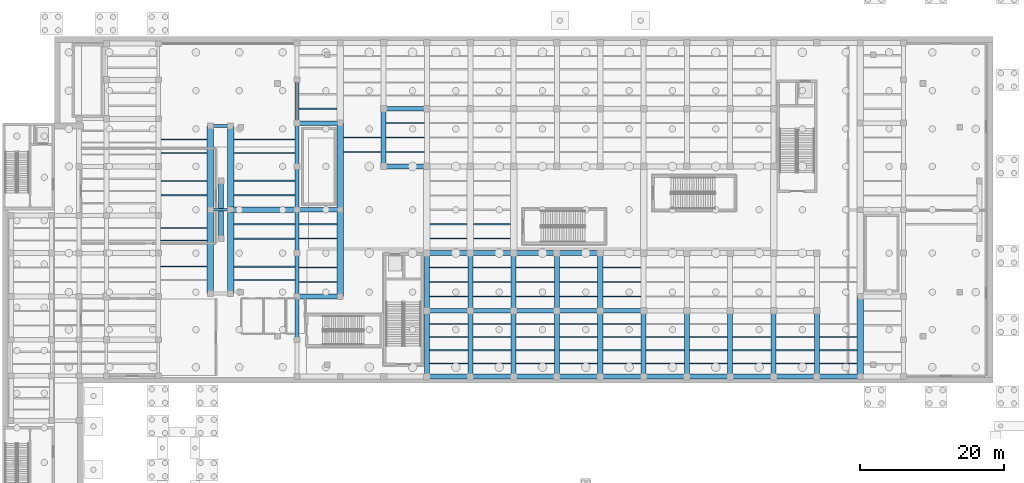
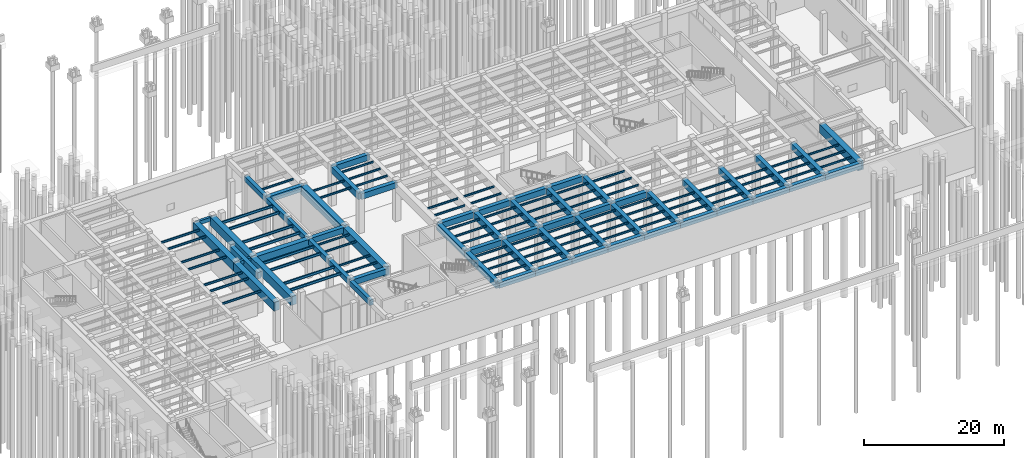
# One storey, part 10 of 30: 136 beams.
"""IFC4 building model written with IfcOpenShell, lengths in metres."""

from ifc_helpers import new_model, si_unit, direction, frame, origin, origin_2d, place, context, subcontext, project, spatial, rectangle, i_section, extrude, material, material_profile, profile_set, type_object, element, save


model = new_model("IFC4")

# Units and contexts
model_context = context("Model", 3, precision=1e-05, world=origin(), true_north=direction((0.0, 1.0)))
body_context = subcontext(model_context, "Body", "Model", "MODEL_VIEW")
ifc_project = project(units=[si_unit("LENGTHUNIT", "METRE"), si_unit("AREAUNIT", "SQUARE_METRE"), si_unit("VOLUMEUNIT", "CUBIC_METRE"), si_unit("PLANEANGLEUNIT", "RADIAN"), si_unit("MASSUNIT", "GRAM", prefix="KILO")], contexts=[model_context])

# Site, building, storey
site_placement = place(None, origin())
site = spatial("IfcSite", under=ifc_project, at=site_placement, CompositionType="ELEMENT")
building_placement = place(site_placement, origin())
building = spatial("IfcBuilding", under=site, at=building_placement, Name="Kolvaren Corner Interchange", CompositionType="ELEMENT")
storey_placement = place(building_placement, frame((0.0, 0.0, -7.199951171875)))
storey = spatial("IfcBuildingStorey", under=building, at=storey_placement, Name="B1", CompositionType="ELEMENT", Elevation=-7.199951171875)

# Beams
ifc_material_1 = material(Name="Concrete C40/50", Category="concrete")
ifc_material_profile_1 = material_profile(ifc_material_1, rectangle(XDim=0.39990234375, YDim=0.64990234375, at=origin_2d()), Name="RC 400x650")
ifc_profile_set_1 = profile_set([ifc_material_profile_1], Name="Concrete C40/50")
beam_type_1 = type_object("IfcBeamType", Name="BM-RC400x650", PredefinedType="BEAM", material=ifc_profile_set_1)
for number, where, z_axis, x_axis, name in (
    (1, (36.0, 48.0, 6.474853515625), (1.0, 0.0, 0.0), (0.0, 1.0, 0.0), "Storey B1 Grid X Primary Girder 0058"),
    (2, (36.0, 59.60009765625, 6.474853515625), (1.0, 0.0, 0.0), (0.0, 1.0, 0.0), "Storey B1 Grid X Primary Girder 0073"),
):
    element("IfcBeam", number, at=place(storey_placement, frame(where, z_axis=z_axis, x_axis=x_axis)), inside=storey, type_object=beam_type_1, Name=name, PredefinedType="BEAM", context=body_context, shape_type="SweptSolid", body=[
        extrude(rectangle(XDim=0.39990234375, YDim=0.64990234375, at=origin_2d()), origin(), (0.0, 0.0, 1.0), 2.800048828125),
    ])
ifc_material_2 = material(Name="Concrete C40/50", Category="concrete")
ifc_material_profile_2 = material_profile(ifc_material_2, rectangle(XDim=0.60009765625, YDim=0.89990234375, at=origin_2d()), Name="RC 600x900")
ifc_profile_set_2 = profile_set([ifc_material_profile_2], Name="Concrete C40/50")
beam_type_2 = type_object("IfcBeamType", Name="BM-RC600x900", PredefinedType="BEAM", material=ifc_profile_set_2)
for number, where, z_axis, x_axis, name in (
    (3, (48.0, 30.0, 6.349853515625), (0.0, 1.0, 0.0), (-1.0, 0.0, 0.0), "Storey B1 Grid Y Primary Girder 0141"),
    (4, (48.0, 36.0, 6.349853515625), (0.0, 1.0, 0.0), (-1.0, 0.0, 0.0), "Storey B1 Grid Y Primary Girder 0142"),
    (5, (48.0, 42.0, 6.349853515625), (0.0, 1.0, 0.0), (-1.0, 0.0, 0.0), "Storey B1 Grid Y Primary Girder 0143"),
    (6, (48.0, 48.0, 6.349853515625), (0.0, 1.0, 0.0), (-1.0, 0.0, 0.0), "Storey B1 Grid Y Primary Girder 0144"),
    (7, (48.0, 54.0, 6.349853515625), (0.0, 1.0, 0.0), (-1.0, 0.0, 0.0), "Storey B1 Grid Y Primary Girder 0145"),
    (8, (48.0, 60.0, 6.349853515625), (0.0, 1.0, 0.0), (-1.0, 0.0, 0.0), "Storey B1 Grid Y Primary Girder 0146"),
):
    element("IfcBeam", number, at=place(storey_placement, frame(where, z_axis=z_axis, x_axis=x_axis)), inside=storey, type_object=beam_type_2, Name=name, PredefinedType="BEAM", context=body_context, shape_type="SweptSolid", body=[
        extrude(rectangle(XDim=0.60009765625, YDim=0.89990234375, at=origin_2d()), origin(), (0.0, 0.0, 1.0), 6.0),
    ])
ifc_material_3 = material(Name="Concrete C40/50", Category="concrete")
ifc_material_profile_3 = material_profile(ifc_material_3, rectangle(XDim=0.64990234375, YDim=1.0, at=origin_2d()), Name="RC 650x1000")
ifc_profile_set_3 = profile_set([ifc_material_profile_3], Name="Concrete C40/50")
beam_type_3 = type_object("IfcBeamType", Name="BM-RC650x1000", PredefinedType="BEAM", material=ifc_profile_set_3)
for number, where, z_axis, x_axis, name in (
    (9, (66.0, 24.89990234375, 6.300048828125), (1.0, 0.0, 0.0), (0.0, 1.0, 0.0), "Storey B1 Grid X Primary Girder 0006"),
    (10, (72.0, 24.89990234375, 6.300048828125), (1.0, 0.0, 0.0), (0.0, 1.0, 0.0), "Storey B1 Grid X Primary Girder 0007"),
    (11, (78.0, 24.89990234375, 6.300048828125), (1.0, 0.0, 0.0), (0.0, 1.0, 0.0), "Storey B1 Grid X Primary Girder 0008"),
    (12, (84.0, 24.89990234375, 6.300048828125), (1.0, 0.0, 0.0), (0.0, 1.0, 0.0), "Storey B1 Grid X Primary Girder 0009"),
    (13, (90.0, 24.89990234375, 6.300048828125), (1.0, 0.0, 0.0), (0.0, 1.0, 0.0), "Storey B1 Grid X Primary Girder 0010"),
    (14, (96.0, 24.89990234375, 6.300048828125), (1.0, 0.0, 0.0), (0.0, 1.0, 0.0), "Storey B1 Grid X Primary Girder 0011"),
    (15, (102.0, 24.89990234375, 6.300048828125), (1.0, 0.0, 0.0), (0.0, 1.0, 0.0), "Storey B1 Grid X Primary Girder 0012"),
    (16, (108.0, 24.89990234375, 6.300048828125), (1.0, 0.0, 0.0), (0.0, 1.0, 0.0), "Storey B1 Grid X Primary Girder 0013"),
    (17, (114.0, 24.89990234375, 6.300048828125), (1.0, 0.0, 0.0), (0.0, 1.0, 0.0), "Storey B1 Grid X Primary Girder 0014"),
    (18, (120.0, 24.89990234375, 6.300048828125), (1.0, 0.0, 0.0), (0.0, 1.0, 0.0), "Storey B1 Grid X Primary Girder 0015"),
    (19, (66.0, 34.0, 6.300048828125), (1.0, 0.0, 0.0), (0.0, 1.0, 0.0), "Storey B1 Grid X Primary Girder 0025"),
    (20, (72.0, 34.0, 6.300048828125), (1.0, 0.0, 0.0), (0.0, 1.0, 0.0), "Storey B1 Grid X Primary Girder 0026"),
    (21, (78.0, 34.0, 6.300048828125), (1.0, 0.0, 0.0), (0.0, 1.0, 0.0), "Storey B1 Grid X Primary Girder 0027"),
    (22, (84.0, 34.0, 6.300048828125), (1.0, 0.0, 0.0), (0.0, 1.0, 0.0), "Storey B1 Grid X Primary Girder 0028"),
    (23, (90.0, 34.0, 6.300048828125), (1.0, 0.0, 0.0), (0.0, 1.0, 0.0), "Storey B1 Grid X Primary Girder 0029"),
    (24, (48.0, 36.0, 6.300048828125), (1.0, 0.0, 0.0), (0.0, 1.0, 0.0), "Storey B1 Grid X Primary Girder 0038"),
    (25, (66.0, 42.0, 6.300048828125), (1.0, 0.0, 0.0), (0.0, 1.0, 0.0), "Storey B1 Grid X Primary Girder 0045"),
    (26, (72.0, 42.0, 6.300048828125), (1.0, 0.0, 0.0), (0.0, 1.0, 0.0), "Storey B1 Grid X Primary Girder 0046"),
    (27, (78.0, 42.0, 6.300048828125), (1.0, 0.0, 0.0), (0.0, 1.0, 0.0), "Storey B1 Grid X Primary Girder 0047"),
    (28, (84.0, 42.0, 6.300048828125), (1.0, 0.0, 0.0), (0.0, 1.0, 0.0), "Storey B1 Grid X Primary Girder 0048"),
    (29, (48.0, 48.0, 6.300048828125), (1.0, 0.0, 0.0), (0.0, 1.0, 0.0), "Storey B1 Grid X Primary Girder 0060"),
    (30, (60.0, 54.0, 6.300048828125), (1.0, 0.0, 0.0), (0.0, 1.0, 0.0), "Storey B1 Grid X Primary Girder 0064"),
    (31, (48.0, 60.0, 6.300048828125), (1.0, 0.0, 0.0), (0.0, 1.0, 0.0), "Storey B1 Grid X Primary Girder 0074"),
    (32, (60.0, 62.0, 6.300048828125), (1.0, 0.0, 0.0), (0.0, 1.0, 0.0), "Storey B1 Grid X Primary Girder 0078"),
):
    element("IfcBeam", number, at=place(storey_placement, frame(where, z_axis=z_axis, x_axis=x_axis)), inside=storey, type_object=beam_type_3, Name=name, PredefinedType="BEAM", context=body_context, shape_type="SweptSolid", body=[
        extrude(rectangle(XDim=0.64990234375, YDim=1.0, at=origin_2d()), origin(), (0.0, 0.0, 1.0), 6.0),
    ])
ifc_material_4 = material(Name="Concrete C40/50", Category="concrete")
ifc_material_profile_4 = material_profile(ifc_material_4, rectangle(XDim=0.699951171875, YDim=1.10009765625, at=origin_2d()), Name="RC 700x1100")
ifc_profile_set_4 = profile_set([ifc_material_profile_4], Name="Concrete C40/50")
beam_type_4 = type_object("IfcBeamType", Name="BM-RC700x1100", PredefinedType="BEAM", material=ifc_profile_set_4)
beam_1_placement = place(storey_placement, frame((37.4970703125, 44.031982421875, 6.25), z_axis=(0.0, 1.0, 0.0), x_axis=(-1.0, 0.0, 0.0)))
element("IfcBeam", 33, at=beam_1_placement, inside=storey, type_object=beam_type_4, Name="Storey B1 Grid Y Primary Girder 0137", PredefinedType="BEAM", context=body_context, shape_type="SweptSolid", body=[
    extrude(rectangle(XDim=0.699951171875, YDim=1.10009765625, at=origin_2d()), origin(), (0.0, 0.0, 1.0), 7.93603515625),
])
beam_2_placement = place(storey_placement, frame((60.0, 54.0, 6.25), z_axis=(0.0, 1.0, 0.0), x_axis=(-1.0, 0.0, 0.0)))
element("IfcBeam", 34, at=beam_2_placement, inside=storey, type_object=beam_type_4, Name="Storey B1 Grid Y Primary Girder 0151", PredefinedType="BEAM", context=body_context, shape_type="SweptSolid", body=[
    extrude(rectangle(XDim=0.699951171875, YDim=1.10009765625, at=origin_2d()), origin(), (0.0, 0.0, 1.0), 8.0),
])
beam_3_placement = place(storey_placement, frame((66.0, 24.89990234375, 6.25), z_axis=(0.0, 1.0, 0.0), x_axis=(-1.0, 0.0, 0.0)))
element("IfcBeam", 35, at=beam_3_placement, inside=storey, type_object=beam_type_4, Name="Storey B1 Grid Y Primary Girder 0153", PredefinedType="BEAM", context=body_context, shape_type="SweptSolid", body=[
    extrude(rectangle(XDim=0.699951171875, YDim=1.10009765625, at=origin_2d()), origin(), (0.0, 0.0, 1.0), 9.10009765625),
])
beam_4_placement = place(storey_placement, frame((66.0, 34.0, 6.25), z_axis=(0.0, 1.0, 0.0), x_axis=(-1.0, 0.0, 0.0)))
element("IfcBeam", 36, at=beam_4_placement, inside=storey, type_object=beam_type_4, Name="Storey B1 Grid Y Primary Girder 0154", PredefinedType="BEAM", context=body_context, shape_type="SweptSolid", body=[
    extrude(rectangle(XDim=0.699951171875, YDim=1.10009765625, at=origin_2d()), origin(), (0.0, 0.0, 1.0), 8.0),
])
beam_5_placement = place(storey_placement, frame((72.0, 24.89990234375, 6.25), z_axis=(0.0, 1.0, 0.0), x_axis=(-1.0, 0.0, 0.0)))
element("IfcBeam", 37, at=beam_5_placement, inside=storey, type_object=beam_type_4, Name="Storey B1 Grid Y Primary Girder 0158", PredefinedType="BEAM", context=body_context, shape_type="SweptSolid", body=[
    extrude(rectangle(XDim=0.699951171875, YDim=1.10009765625, at=origin_2d()), origin(), (0.0, 0.0, 1.0), 9.10009765625),
])
beam_6_placement = place(storey_placement, frame((72.0, 34.0, 6.25), z_axis=(0.0, 1.0, 0.0), x_axis=(-1.0, 0.0, 0.0)))
element("IfcBeam", 38, at=beam_6_placement, inside=storey, type_object=beam_type_4, Name="Storey B1 Grid Y Primary Girder 0159", PredefinedType="BEAM", context=body_context, shape_type="SweptSolid", body=[
    extrude(rectangle(XDim=0.699951171875, YDim=1.10009765625, at=origin_2d()), origin(), (0.0, 0.0, 1.0), 8.0),
])
beam_7_placement = place(storey_placement, frame((78.0, 24.89990234375, 6.25), z_axis=(0.0, 1.0, 0.0), x_axis=(-1.0, 0.0, 0.0)))
element("IfcBeam", 39, at=beam_7_placement, inside=storey, type_object=beam_type_4, Name="Storey B1 Grid Y Primary Girder 0163", PredefinedType="BEAM", context=body_context, shape_type="SweptSolid", body=[
    extrude(rectangle(XDim=0.699951171875, YDim=1.10009765625, at=origin_2d()), origin(), (0.0, 0.0, 1.0), 9.10009765625),
])
beam_8_placement = place(storey_placement, frame((78.0, 34.0, 6.25), z_axis=(0.0, 1.0, 0.0), x_axis=(-1.0, 0.0, 0.0)))
element("IfcBeam", 40, at=beam_8_placement, inside=storey, type_object=beam_type_4, Name="Storey B1 Grid Y Primary Girder 0164", PredefinedType="BEAM", context=body_context, shape_type="SweptSolid", body=[
    extrude(rectangle(XDim=0.699951171875, YDim=1.10009765625, at=origin_2d()), origin(), (0.0, 0.0, 1.0), 8.0),
])
beam_9_placement = place(storey_placement, frame((84.0, 24.89990234375, 6.25), z_axis=(0.0, 1.0, 0.0), x_axis=(-1.0, 0.0, 0.0)))
element("IfcBeam", 41, at=beam_9_placement, inside=storey, type_object=beam_type_4, Name="Storey B1 Grid Y Primary Girder 0168", PredefinedType="BEAM", context=body_context, shape_type="SweptSolid", body=[
    extrude(rectangle(XDim=0.699951171875, YDim=1.10009765625, at=origin_2d()), origin(), (0.0, 0.0, 1.0), 9.10009765625),
])
beam_10_placement = place(storey_placement, frame((84.0, 34.0, 6.25), z_axis=(0.0, 1.0, 0.0), x_axis=(-1.0, 0.0, 0.0)))
element("IfcBeam", 42, at=beam_10_placement, inside=storey, type_object=beam_type_4, Name="Storey B1 Grid Y Primary Girder 0169", PredefinedType="BEAM", context=body_context, shape_type="SweptSolid", body=[
    extrude(rectangle(XDim=0.699951171875, YDim=1.10009765625, at=origin_2d()), origin(), (0.0, 0.0, 1.0), 8.0),
])
beam_11_placement = place(storey_placement, frame((90.0, 24.89990234375, 6.25), z_axis=(0.0, 1.0, 0.0), x_axis=(-1.0, 0.0, 0.0)))
element("IfcBeam", 43, at=beam_11_placement, inside=storey, type_object=beam_type_4, Name="Storey B1 Grid Y Primary Girder 0172", PredefinedType="BEAM", context=body_context, shape_type="SweptSolid", body=[
    extrude(rectangle(XDim=0.699951171875, YDim=1.10009765625, at=origin_2d()), origin(), (0.0, 0.0, 1.0), 9.10009765625),
])
beam_12_placement = place(storey_placement, frame((90.0, 34.0, 6.25), z_axis=(0.0, 1.0, 0.0), x_axis=(-1.0, 0.0, 0.0)))
element("IfcBeam", 44, at=beam_12_placement, inside=storey, type_object=beam_type_4, Name="Storey B1 Grid Y Primary Girder 0173", PredefinedType="BEAM", context=body_context, shape_type="SweptSolid", body=[
    extrude(rectangle(XDim=0.699951171875, YDim=1.10009765625, at=origin_2d()), origin(), (0.0, 0.0, 1.0), 8.0),
])
for number, where, z_axis, x_axis, name in (
    (45, (96.0, 24.89990234375, 6.25), (0.0, 1.0, 0.0), (-1.0, 0.0, 0.0), "Storey B1 Grid Y Primary Girder 0176"),
    (46, (102.0, 24.89990234375, 6.25), (0.0, 1.0, 0.0), (-1.0, 0.0, 0.0), "Storey B1 Grid Y Primary Girder 0181"),
    (47, (108.0, 24.89990234375, 6.25), (0.0, 1.0, 0.0), (-1.0, 0.0, 0.0), "Storey B1 Grid Y Primary Girder 0185"),
    (48, (114.0, 24.89990234375, 6.25), (0.0, 1.0, 0.0), (-1.0, 0.0, 0.0), "Storey B1 Grid Y Primary Girder 0189"),
    (49, (120.0, 24.89990234375, 6.25), (0.0, 1.0, 0.0), (-1.0, 0.0, 0.0), "Storey B1 Grid Y Primary Girder 0194"),
):
    element("IfcBeam", number, at=place(storey_placement, frame(where, z_axis=z_axis, x_axis=x_axis)), inside=storey, type_object=beam_type_4, Name=name, PredefinedType="BEAM", context=body_context, shape_type="SweptSolid", body=[
        extrude(rectangle(XDim=0.699951171875, YDim=1.10009765625, at=origin_2d()), origin(), (0.0, 0.0, 1.0), 9.10009765625),
    ])
ifc_material_5 = material(Name="Concrete C40/50", Category="concrete")
ifc_material_profile_5 = material_profile(ifc_material_5, rectangle(XDim=0.800048828125, YDim=1.300048828125, at=origin_2d()), Name="RC 800x1300")
ifc_profile_set_5 = profile_set([ifc_material_profile_5], Name="Concrete C40/50")
beam_type_5 = type_object("IfcBeamType", Name="BM-RC800x1300", PredefinedType="BEAM", material=ifc_profile_set_5)
beam_13_placement = place(storey_placement, frame((38.800048828125, 48.0, 6.14990234375), z_axis=(1.0, 0.0, 0.0), x_axis=(0.0, 1.0, 0.0)))
element("IfcBeam", 50, at=beam_13_placement, inside=storey, type_object=beam_type_5, Name="Storey B1 Grid X Primary Girder 0059", PredefinedType="BEAM", context=body_context, shape_type="SweptSolid", body=[
    extrude(rectangle(XDim=0.800048828125, YDim=1.300048828125, at=origin_2d()), origin(), (0.0, 0.0, 1.0), 9.199951171875),
])
ifc_material_6 = material(Name="Concrete C40/50", Category="concrete")
ifc_material_profile_6 = material_profile(ifc_material_6, rectangle(XDim=0.89990234375, YDim=1.5, at=origin_2d()), Name="RC 900x1500")
ifc_profile_set_6 = profile_set([ifc_material_profile_6], Name="Concrete C40/50")
beam_type_6 = type_object("IfcBeamType", Name="BM-RC900x1500", PredefinedType="BEAM", material=ifc_profile_set_6)
for number, where, z_axis, x_axis, name in (
    (51, (36.0, 36.39990234375, 6.050048828125), (0.0, 1.0, 0.0), (-1.0, 0.0, 0.0), "Storey B1 Grid Y Primary Girder 0135"),
    (52, (36.0, 48.0, 6.050048828125), (0.0, 1.0, 0.0), (-1.0, 0.0, 0.0), "Storey B1 Grid Y Primary Girder 0136"),
    (53, (38.800048828125, 36.39990234375, 6.050048828125), (0.0, 1.0, 0.0), (-1.0, 0.0, 0.0), "Storey B1 Grid Y Primary Girder 0138"),
    (54, (38.800048828125, 48.0, 6.050048828125), (0.0, 1.0, 0.0), (-1.0, 0.0, 0.0), "Storey B1 Grid Y Primary Girder 0139"),
):
    element("IfcBeam", number, at=place(storey_placement, frame(where, z_axis=z_axis, x_axis=x_axis)), inside=storey, type_object=beam_type_6, Name=name, PredefinedType="BEAM", context=body_context, shape_type="SweptSolid", body=[
        extrude(rectangle(XDim=0.89990234375, YDim=1.5, at=origin_2d()), origin(), (0.0, 0.0, 1.0), 11.60009765625),
    ])
for number, where, z_axis, x_axis, name in (
    (55, (54.0, 36.0, 6.050048828125), (0.0, 1.0, 0.0), (-1.0, 0.0, 0.0), "Storey B1 Grid Y Primary Girder 0148"),
    (56, (54.0, 48.0, 6.050048828125), (0.0, 1.0, 0.0), (-1.0, 0.0, 0.0), "Storey B1 Grid Y Primary Girder 0149"),
):
    element("IfcBeam", number, at=place(storey_placement, frame(where, z_axis=z_axis, x_axis=x_axis)), inside=storey, type_object=beam_type_6, Name=name, PredefinedType="BEAM", context=body_context, shape_type="SweptSolid", body=[
        extrude(rectangle(XDim=0.89990234375, YDim=1.5, at=origin_2d()), origin(), (0.0, 0.0, 1.0), 12.0),
    ])
beam_14_placement = place(storey_placement, frame((126.0, 24.89990234375, 6.050048828125), z_axis=(0.0, 1.0, 0.0), x_axis=(-1.0, 0.0, 0.0)))
element("IfcBeam", 57, at=beam_14_placement, inside=storey, type_object=beam_type_6, Name="Storey B1 Grid Y Primary Girder 0196", PredefinedType="BEAM", context=body_context, shape_type="SweptSolid", body=[
    extrude(rectangle(XDim=0.89990234375, YDim=1.5, at=origin_2d()), origin(), (0.0, 0.0, 1.0), 11.10009765625),
])
ifc_material_7 = material(Name="Steel S355", Category="steel")
ifc_material_profile_7 = material_profile(ifc_material_7, i_section(OverallWidth=0.159912109375, OverallDepth=0.330078125, WebThickness=0.007568359375, FlangeThickness=0.011474609375, FilletRadius=0.01806640625, at=origin_2d()), Name="IPE 330")
ifc_profile_set_7 = profile_set([ifc_material_profile_7], Name="Steel S355")
beam_type_7 = type_object("IfcBeamType", Name="JS-IPE330", PredefinedType="JOIST", material=ifc_profile_set_7)
for number, where, z_axis, x_axis, name in (
    (58, (48.300048828125, 38.0, 6.635009765625), (1.0, 0.0, 0.0), (0.0, 1.0, 0.0), "Storey B1 Composite Floor Joist 0068"),
    (59, (48.300048828125, 40.0, 6.635009765625), (1.0, 0.0, 0.0), (0.0, 1.0, 0.0), "Storey B1 Composite Floor Joist 0069"),
    (60, (48.300048828125, 44.0, 6.635009765625), (1.0, 0.0, 0.0), (0.0, 1.0, 0.0), "Storey B1 Composite Floor Joist 0070"),
    (61, (48.300048828125, 46.0, 6.635009765625), (1.0, 0.0, 0.0), (0.0, 1.0, 0.0), "Storey B1 Composite Floor Joist 0071"),
    (62, (48.300048828125, 62.0, 6.635009765625), (1.0, 0.0, 0.0), (0.0, 1.0, 0.0), "Storey B1 Composite Floor Joist 0072"),
):
    element("IfcBeam", number, at=place(storey_placement, frame(where, z_axis=z_axis, x_axis=x_axis)), inside=storey, type_object=beam_type_7, Name=name, PredefinedType="JOIST", context=body_context, shape_type="SweptSolid", body=[
        extrude(i_section(OverallWidth=0.159912109375, OverallDepth=0.330078125, WebThickness=0.007568359375, FlangeThickness=0.011474609375, FilletRadius=0.01806640625, at=origin_2d()), origin(), (0.0, 0.0, 1.0), 5.25),
    ])
for number, where, z_axis, x_axis, name in (
    (63, (54.449951171875, 56.0, 6.635009765625), (1.0, 0.0, 0.0), (0.0, 1.0, 0.0), "Storey B1 Composite Floor Joist 0076"),
    (64, (54.449951171875, 58.0, 6.635009765625), (1.0, 0.0, 0.0), (0.0, 1.0, 0.0), "Storey B1 Composite Floor Joist 0077"),
):
    element("IfcBeam", number, at=place(storey_placement, frame(where, z_axis=z_axis, x_axis=x_axis)), inside=storey, type_object=beam_type_7, Name=name, PredefinedType="JOIST", context=body_context, shape_type="SweptSolid", body=[
        extrude(i_section(OverallWidth=0.159912109375, OverallDepth=0.330078125, WebThickness=0.007568359375, FlangeThickness=0.011474609375, FilletRadius=0.01806640625, at=origin_2d()), origin(), (0.0, 0.0, 1.0), 5.199951171875),
    ])
for number, where, z_axis, x_axis, name in (
    (65, (60.35009765625, 56.0, 6.635009765625), (1.0, 0.0, 0.0), (0.0, 1.0, 0.0), "Storey B1 Composite Floor Joist 0082"),
    (66, (60.35009765625, 58.0, 6.635009765625), (1.0, 0.0, 0.0), (0.0, 1.0, 0.0), "Storey B1 Composite Floor Joist 0083"),
    (67, (60.35009765625, 60.0, 6.635009765625), (1.0, 0.0, 0.0), (0.0, 1.0, 0.0), "Storey B1 Composite Floor Joist 0084"),
    (68, (66.35009765625, 26.719970703125, 6.635009765625), (1.0, 0.0, 0.0), (0.0, 1.0, 0.0), "Storey B1 Composite Floor Joist 0089"),
    (69, (66.35009765625, 28.5400390625, 6.635009765625), (1.0, 0.0, 0.0), (0.0, 1.0, 0.0), "Storey B1 Composite Floor Joist 0090"),
    (70, (66.35009765625, 30.360107421875, 6.635009765625), (1.0, 0.0, 0.0), (0.0, 1.0, 0.0), "Storey B1 Composite Floor Joist 0091"),
    (71, (66.35009765625, 32.179931640625, 6.635009765625), (1.0, 0.0, 0.0), (0.0, 1.0, 0.0), "Storey B1 Composite Floor Joist 0092"),
    (72, (66.35009765625, 36.0, 6.635009765625), (1.0, 0.0, 0.0), (0.0, 1.0, 0.0), "Storey B1 Composite Floor Joist 0093"),
    (73, (66.35009765625, 38.0, 6.635009765625), (1.0, 0.0, 0.0), (0.0, 1.0, 0.0), "Storey B1 Composite Floor Joist 0094"),
    (74, (66.35009765625, 40.0, 6.635009765625), (1.0, 0.0, 0.0), (0.0, 1.0, 0.0), "Storey B1 Composite Floor Joist 0095"),
):
    element("IfcBeam", number, at=place(storey_placement, frame(where, z_axis=z_axis, x_axis=x_axis)), inside=storey, type_object=beam_type_7, Name=name, PredefinedType="JOIST", context=body_context, shape_type="SweptSolid", body=[
        extrude(i_section(OverallWidth=0.159912109375, OverallDepth=0.330078125, WebThickness=0.007568359375, FlangeThickness=0.011474609375, FilletRadius=0.01806640625, at=origin_2d()), origin(), (0.0, 0.0, 1.0), 5.2998046875),
    ])
for number, where, z_axis, x_axis, name in (
    (75, (66.449951171875, 44.0, 6.635009765625), (1.0, 0.0, 0.0), (0.0, 1.0, 0.0), "Storey B1 Composite Floor Joist 0096"),
    (76, (66.449951171875, 46.0, 6.635009765625), (1.0, 0.0, 0.0), (0.0, 1.0, 0.0), "Storey B1 Composite Floor Joist 0097"),
):
    element("IfcBeam", number, at=place(storey_placement, frame(where, z_axis=z_axis, x_axis=x_axis)), inside=storey, type_object=beam_type_7, Name=name, PredefinedType="JOIST", context=body_context, shape_type="SweptSolid", body=[
        extrude(i_section(OverallWidth=0.159912109375, OverallDepth=0.330078125, WebThickness=0.007568359375, FlangeThickness=0.011474609375, FilletRadius=0.01806640625, at=origin_2d()), origin(), (0.0, 0.0, 1.0), 5.10009765625),
    ])
for number, where, z_axis, x_axis, name in (
    (77, (72.35009765625, 26.719970703125, 6.635009765625), (1.0, 0.0, 0.0), (0.0, 1.0, 0.0), "Storey B1 Composite Floor Joist 0108"),
    (78, (72.35009765625, 28.5400390625, 6.635009765625), (1.0, 0.0, 0.0), (0.0, 1.0, 0.0), "Storey B1 Composite Floor Joist 0109"),
    (79, (72.35009765625, 30.360107421875, 6.635009765625), (1.0, 0.0, 0.0), (0.0, 1.0, 0.0), "Storey B1 Composite Floor Joist 0110"),
    (80, (72.35009765625, 32.179931640625, 6.635009765625), (1.0, 0.0, 0.0), (0.0, 1.0, 0.0), "Storey B1 Composite Floor Joist 0111"),
    (81, (72.35009765625, 36.0, 6.635009765625), (1.0, 0.0, 0.0), (0.0, 1.0, 0.0), "Storey B1 Composite Floor Joist 0112"),
    (82, (72.35009765625, 38.0, 6.635009765625), (1.0, 0.0, 0.0), (0.0, 1.0, 0.0), "Storey B1 Composite Floor Joist 0113"),
    (83, (72.35009765625, 40.0, 6.635009765625), (1.0, 0.0, 0.0), (0.0, 1.0, 0.0), "Storey B1 Composite Floor Joist 0114"),
):
    element("IfcBeam", number, at=place(storey_placement, frame(where, z_axis=z_axis, x_axis=x_axis)), inside=storey, type_object=beam_type_7, Name=name, PredefinedType="JOIST", context=body_context, shape_type="SweptSolid", body=[
        extrude(i_section(OverallWidth=0.159912109375, OverallDepth=0.330078125, WebThickness=0.007568359375, FlangeThickness=0.011474609375, FilletRadius=0.01806640625, at=origin_2d()), origin(), (0.0, 0.0, 1.0), 5.2998046875),
    ])
for number, where, z_axis, x_axis, name in (
    (84, (72.449951171875, 44.0, 6.635009765625), (1.0, 0.0, 0.0), (0.0, 1.0, 0.0), "Storey B1 Composite Floor Joist 0115"),
    (85, (72.449951171875, 46.0, 6.635009765625), (1.0, 0.0, 0.0), (0.0, 1.0, 0.0), "Storey B1 Composite Floor Joist 0116"),
):
    element("IfcBeam", number, at=place(storey_placement, frame(where, z_axis=z_axis, x_axis=x_axis)), inside=storey, type_object=beam_type_7, Name=name, PredefinedType="JOIST", context=body_context, shape_type="SweptSolid", body=[
        extrude(i_section(OverallWidth=0.159912109375, OverallDepth=0.330078125, WebThickness=0.007568359375, FlangeThickness=0.011474609375, FilletRadius=0.01806640625, at=origin_2d()), origin(), (0.0, 0.0, 1.0), 5.10009765625),
    ])
for number, where, z_axis, x_axis, name in (
    (86, (78.35009765625, 26.719970703125, 6.635009765625), (1.0, 0.0, 0.0), (0.0, 1.0, 0.0), "Storey B1 Composite Floor Joist 0127"),
    (87, (78.35009765625, 28.5400390625, 6.635009765625), (1.0, 0.0, 0.0), (0.0, 1.0, 0.0), "Storey B1 Composite Floor Joist 0128"),
    (88, (78.35009765625, 30.360107421875, 6.635009765625), (1.0, 0.0, 0.0), (0.0, 1.0, 0.0), "Storey B1 Composite Floor Joist 0129"),
    (89, (78.35009765625, 32.179931640625, 6.635009765625), (1.0, 0.0, 0.0), (0.0, 1.0, 0.0), "Storey B1 Composite Floor Joist 0130"),
    (90, (78.35009765625, 36.0, 6.635009765625), (1.0, 0.0, 0.0), (0.0, 1.0, 0.0), "Storey B1 Composite Floor Joist 0131"),
    (91, (78.35009765625, 38.0, 6.635009765625), (1.0, 0.0, 0.0), (0.0, 1.0, 0.0), "Storey B1 Composite Floor Joist 0132"),
    (92, (78.35009765625, 40.0, 6.635009765625), (1.0, 0.0, 0.0), (0.0, 1.0, 0.0), "Storey B1 Composite Floor Joist 0133"),
    (93, (84.35009765625, 26.719970703125, 6.635009765625), (1.0, 0.0, 0.0), (0.0, 1.0, 0.0), "Storey B1 Composite Floor Joist 0141"),
    (94, (84.35009765625, 28.5400390625, 6.635009765625), (1.0, 0.0, 0.0), (0.0, 1.0, 0.0), "Storey B1 Composite Floor Joist 0142"),
    (95, (84.35009765625, 30.360107421875, 6.635009765625), (1.0, 0.0, 0.0), (0.0, 1.0, 0.0), "Storey B1 Composite Floor Joist 0143"),
    (96, (84.35009765625, 32.179931640625, 6.635009765625), (1.0, 0.0, 0.0), (0.0, 1.0, 0.0), "Storey B1 Composite Floor Joist 0144"),
    (97, (84.35009765625, 36.0, 6.635009765625), (1.0, 0.0, 0.0), (0.0, 1.0, 0.0), "Storey B1 Composite Floor Joist 0145"),
    (98, (84.35009765625, 38.0, 6.635009765625), (1.0, 0.0, 0.0), (0.0, 1.0, 0.0), "Storey B1 Composite Floor Joist 0146"),
    (99, (84.35009765625, 40.0, 6.635009765625), (1.0, 0.0, 0.0), (0.0, 1.0, 0.0), "Storey B1 Composite Floor Joist 0147"),
    (100, (90.35009765625, 26.719970703125, 6.635009765625), (1.0, 0.0, 0.0), (0.0, 1.0, 0.0), "Storey B1 Composite Floor Joist 0155"),
    (101, (90.35009765625, 28.5400390625, 6.635009765625), (1.0, 0.0, 0.0), (0.0, 1.0, 0.0), "Storey B1 Composite Floor Joist 0156"),
    (102, (90.35009765625, 30.360107421875, 6.635009765625), (1.0, 0.0, 0.0), (0.0, 1.0, 0.0), "Storey B1 Composite Floor Joist 0157"),
    (103, (90.35009765625, 32.179931640625, 6.635009765625), (1.0, 0.0, 0.0), (0.0, 1.0, 0.0), "Storey B1 Composite Floor Joist 0158"),
    (104, (90.35009765625, 36.0, 6.635009765625), (1.0, 0.0, 0.0), (0.0, 1.0, 0.0), "Storey B1 Composite Floor Joist 0159"),
    (105, (90.35009765625, 38.0, 6.635009765625), (1.0, 0.0, 0.0), (0.0, 1.0, 0.0), "Storey B1 Composite Floor Joist 0160"),
    (106, (90.35009765625, 40.0, 6.635009765625), (1.0, 0.0, 0.0), (0.0, 1.0, 0.0), "Storey B1 Composite Floor Joist 0161"),
    (107, (96.35009765625, 26.719970703125, 6.635009765625), (1.0, 0.0, 0.0), (0.0, 1.0, 0.0), "Storey B1 Composite Floor Joist 0169"),
    (108, (96.35009765625, 28.5400390625, 6.635009765625), (1.0, 0.0, 0.0), (0.0, 1.0, 0.0), "Storey B1 Composite Floor Joist 0170"),
    (109, (96.35009765625, 30.360107421875, 6.635009765625), (1.0, 0.0, 0.0), (0.0, 1.0, 0.0), "Storey B1 Composite Floor Joist 0171"),
    (110, (102.35009765625, 26.719970703125, 6.635009765625), (1.0, 0.0, 0.0), (0.0, 1.0, 0.0), "Storey B1 Composite Floor Joist 0183"),
    (111, (102.35009765625, 28.5400390625, 6.635009765625), (1.0, 0.0, 0.0), (0.0, 1.0, 0.0), "Storey B1 Composite Floor Joist 0184"),
    (112, (102.35009765625, 30.360107421875, 6.635009765625), (1.0, 0.0, 0.0), (0.0, 1.0, 0.0), "Storey B1 Composite Floor Joist 0185"),
    (113, (108.35009765625, 26.719970703125, 6.635009765625), (1.0, 0.0, 0.0), (0.0, 1.0, 0.0), "Storey B1 Composite Floor Joist 0197"),
    (114, (108.35009765625, 28.5400390625, 6.635009765625), (1.0, 0.0, 0.0), (0.0, 1.0, 0.0), "Storey B1 Composite Floor Joist 0198"),
    (115, (108.35009765625, 30.360107421875, 6.635009765625), (1.0, 0.0, 0.0), (0.0, 1.0, 0.0), "Storey B1 Composite Floor Joist 0199"),
    (116, (114.35009765625, 26.719970703125, 6.635009765625), (1.0, 0.0, 0.0), (0.0, 1.0, 0.0), "Storey B1 Composite Floor Joist 0211"),
    (117, (114.35009765625, 28.5400390625, 6.635009765625), (1.0, 0.0, 0.0), (0.0, 1.0, 0.0), "Storey B1 Composite Floor Joist 0212"),
    (118, (114.35009765625, 30.360107421875, 6.635009765625), (1.0, 0.0, 0.0), (0.0, 1.0, 0.0), "Storey B1 Composite Floor Joist 0213"),
):
    element("IfcBeam", number, at=place(storey_placement, frame(where, z_axis=z_axis, x_axis=x_axis)), inside=storey, type_object=beam_type_7, Name=name, PredefinedType="JOIST", context=body_context, shape_type="SweptSolid", body=[
        extrude(i_section(OverallWidth=0.159912109375, OverallDepth=0.330078125, WebThickness=0.007568359375, FlangeThickness=0.011474609375, FilletRadius=0.01806640625, at=origin_2d()), origin(), (0.0, 0.0, 1.0), 5.2998046875),
    ])
for number, where, z_axis, x_axis, name in (
    (119, (120.35009765625, 26.719970703125, 6.635009765625), (1.0, 0.0, 0.0), (0.0, 1.0, 0.0), "Storey B1 Composite Floor Joist 0218"),
    (120, (120.35009765625, 28.5400390625, 6.635009765625), (1.0, 0.0, 0.0), (0.0, 1.0, 0.0), "Storey B1 Composite Floor Joist 0219"),
    (121, (120.35009765625, 30.360107421875, 6.635009765625), (1.0, 0.0, 0.0), (0.0, 1.0, 0.0), "Storey B1 Composite Floor Joist 0220"),
):
    element("IfcBeam", number, at=place(storey_placement, frame(where, z_axis=z_axis, x_axis=x_axis)), inside=storey, type_object=beam_type_7, Name=name, PredefinedType="JOIST", context=body_context, shape_type="SweptSolid", body=[
        extrude(i_section(OverallWidth=0.159912109375, OverallDepth=0.330078125, WebThickness=0.007568359375, FlangeThickness=0.011474609375, FilletRadius=0.01806640625, at=origin_2d()), origin(), (0.0, 0.0, 1.0), 5.199951171875),
    ])
ifc_material_8 = material(Name="Steel S355", Category="steel")
ifc_material_profile_8 = material_profile(ifc_material_8, i_section(OverallWidth=0.169921875, OverallDepth=0.360107421875, WebThickness=0.008056640625, FlangeThickness=0.0126953125, FilletRadius=0.01806640625, at=origin_2d()), Name="IPE 360")
ifc_profile_set_8 = profile_set([ifc_material_profile_8], Name="Steel S355")
beam_type_8 = type_object("IfcBeamType", Name="JS-IPE360", PredefinedType="JOIST", material=ifc_profile_set_8)
for number, where, z_axis, x_axis, name in (
    (122, (29.10009765625, 40.13330078125, 6.619873046875), (1.0, 0.0, 0.0), (0.0, 1.0, 0.0), "Storey B1 Composite Floor Joist 0053"),
    (123, (29.10009765625, 43.7333984375, 6.619873046875), (1.0, 0.0, 0.0), (0.0, 1.0, 0.0), "Storey B1 Composite Floor Joist 0054"),
    (124, (29.10009765625, 45.466796875, 6.619873046875), (1.0, 0.0, 0.0), (0.0, 1.0, 0.0), "Storey B1 Composite Floor Joist 0055"),
):
    element("IfcBeam", number, at=place(storey_placement, frame(where, z_axis=z_axis, x_axis=x_axis)), inside=storey, type_object=beam_type_8, Name=name, PredefinedType="JOIST", context=body_context, shape_type="SweptSolid", body=[
        extrude(i_section(OverallWidth=0.169921875, OverallDepth=0.360107421875, WebThickness=0.008056640625, FlangeThickness=0.0126953125, FilletRadius=0.01806640625, at=origin_2d()), origin(), (0.0, 0.0, 1.0), 6.449951171875),
    ])
for number, where, z_axis, x_axis, name in (
    (125, (29.14990234375, 50.0, 6.619873046875), (1.0, 0.0, 0.0), (0.0, 1.0, 0.0), "Storey B1 Composite Floor Joist 0056"),
    (126, (29.14990234375, 52.0, 6.619873046875), (1.0, 0.0, 0.0), (0.0, 1.0, 0.0), "Storey B1 Composite Floor Joist 0057"),
    (127, (29.14990234375, 55.86669921875, 6.619873046875), (1.0, 0.0, 0.0), (0.0, 1.0, 0.0), "Storey B1 Composite Floor Joist 0058"),
    (128, (29.14990234375, 57.7333984375, 6.619873046875), (1.0, 0.0, 0.0), (0.0, 1.0, 0.0), "Storey B1 Composite Floor Joist 0059"),
):
    element("IfcBeam", number, at=place(storey_placement, frame(where, z_axis=z_axis, x_axis=x_axis)), inside=storey, type_object=beam_type_8, Name=name, PredefinedType="JOIST", context=body_context, shape_type="SweptSolid", body=[
        extrude(i_section(OverallWidth=0.169921875, OverallDepth=0.360107421875, WebThickness=0.008056640625, FlangeThickness=0.0126953125, FilletRadius=0.01806640625, at=origin_2d()), origin(), (0.0, 0.0, 1.0), 6.400146484375),
    ])
ifc_material_9 = material(Name="Steel S355", Category="steel")
ifc_material_profile_9 = material_profile(ifc_material_9, i_section(OverallWidth=0.18994140625, OverallDepth=0.449951171875, WebThickness=0.009521484375, FlangeThickness=0.0146484375, FilletRadius=0.02099609375, at=origin_2d()), Name="IPE 450")
ifc_profile_set_9 = profile_set([ifc_material_profile_9], Name="Steel S355")
beam_type_9 = type_object("IfcBeamType", Name="JS-IPE450", PredefinedType="JOIST", material=ifc_profile_set_9)
for number, where, z_axis, x_axis, name in (
    (129, (39.25, 38.2666015625, 6.574951171875), (1.0, 0.0, 0.0), (0.0, 1.0, 0.0), "Storey B1 Composite Floor Joist 0060"),
    (130, (39.25, 40.13330078125, 6.574951171875), (1.0, 0.0, 0.0), (0.0, 1.0, 0.0), "Storey B1 Composite Floor Joist 0061"),
    (131, (39.25, 44.0, 6.574951171875), (1.0, 0.0, 0.0), (0.0, 1.0, 0.0), "Storey B1 Composite Floor Joist 0062"),
    (132, (39.25, 46.0, 6.574951171875), (1.0, 0.0, 0.0), (0.0, 1.0, 0.0), "Storey B1 Composite Floor Joist 0063"),
    (133, (39.25, 50.0, 6.574951171875), (1.0, 0.0, 0.0), (0.0, 1.0, 0.0), "Storey B1 Composite Floor Joist 0064"),
    (134, (39.25, 52.0, 6.574951171875), (1.0, 0.0, 0.0), (0.0, 1.0, 0.0), "Storey B1 Composite Floor Joist 0065"),
    (135, (39.25, 55.86669921875, 6.574951171875), (1.0, 0.0, 0.0), (0.0, 1.0, 0.0), "Storey B1 Composite Floor Joist 0066"),
    (136, (39.25, 57.7333984375, 6.574951171875), (1.0, 0.0, 0.0), (0.0, 1.0, 0.0), "Storey B1 Composite Floor Joist 0067"),
):
    element("IfcBeam", number, at=place(storey_placement, frame(where, z_axis=z_axis, x_axis=x_axis)), inside=storey, type_object=beam_type_9, Name=name, PredefinedType="JOIST", context=body_context, shape_type="SweptSolid", body=[
        extrude(i_section(OverallWidth=0.18994140625, OverallDepth=0.449951171875, WebThickness=0.009521484375, FlangeThickness=0.0146484375, FilletRadius=0.02099609375, at=origin_2d()), origin(), (0.0, 0.0, 1.0), 8.449951171875),
    ])

save(model, "model.ifc")
